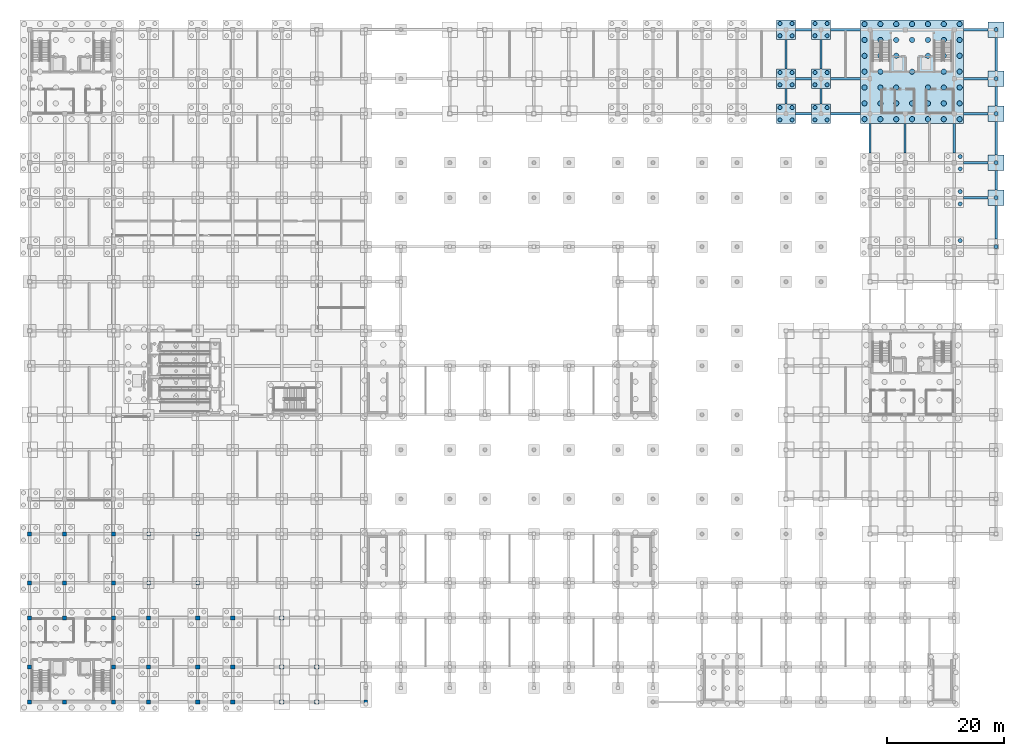
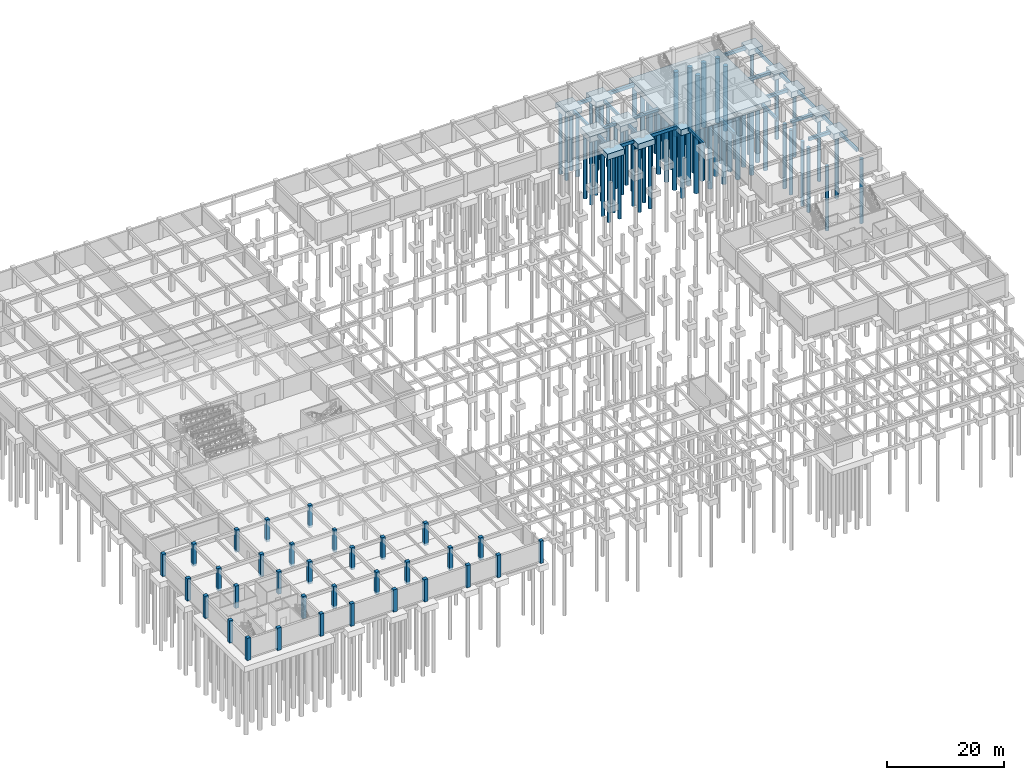
# One storey, part 13 of 40: 80 piles, 35 footings, 33 columns.
"""IFC4 building model written with IfcOpenShell, lengths in metres."""

from ifc_helpers import new_model, si_unit, direction, frame, origin, origin_2d, place, context, subcontext, project, spatial, rectangle, circle, extrude, material, material_profile, profile_set, type_object, element, save


model = new_model("IFC4")

# Units and contexts
model_context = context("Model", 3, precision=1e-05, world=origin(), true_north=direction((0.0, 1.0)))
body_context = subcontext(model_context, "Body", "Model", "MODEL_VIEW")
ifc_project = project(units=[si_unit("LENGTHUNIT", "METRE"), si_unit("AREAUNIT", "SQUARE_METRE"), si_unit("VOLUMEUNIT", "CUBIC_METRE"), si_unit("PLANEANGLEUNIT", "RADIAN"), si_unit("MASSUNIT", "GRAM", prefix="KILO"), si_unit("THERMODYNAMICTEMPERATUREUNIT", "KELVIN")], contexts=[model_context])

# Site, building, storey
site_placement = place(None, origin())
site = spatial("IfcSite", under=ifc_project, at=site_placement, CompositionType="ELEMENT")
building_placement = place(site_placement, origin())
building = spatial("IfcBuilding", under=site, at=building_placement, Name="Thalorik Housing Commons", CompositionType="ELEMENT")
storey_placement = place(building_placement, frame((0.0, 0.0, -4.199951171875)))
storey = spatial("IfcBuildingStorey", under=building, at=storey_placement, Name="B1", CompositionType="ELEMENT", Elevation=-4.199951171875)

# Footings
ifc_material_1 = material(Name="Concrete C40/50", Category="concrete")
footing_type_1 = type_object("IfcFootingType", Name="STR-CAP-17700x17700", PredefinedType="PILE_CAP", material=ifc_material_1)
footing_1_placement = place(storey_placement, frame((159.60009765625, 116.39990234375, -1.64990234375), z_axis=(0.0, 0.0, 1.0), x_axis=(1.0, 0.0, 0.0)))
element("IfcFooting", 1, at=footing_1_placement, inside=storey, type_object=footing_type_1, Name="B1 Pile Cap 245", PredefinedType="PILE_CAP", context=body_context, shape_type="SweptSolid", body=[
    extrude(rectangle(XDim=17.699951171875, YDim=17.699951171875, at=origin_2d()), origin(), (0.0, 0.0, 1.0), 1.199951171875),
])
footing_type_2 = type_object("IfcFootingType", Name="STR-CAP-2700x2700", PredefinedType="PILE_CAP", material=ifc_material_1)
for number, where, z_axis, x_axis, name in (
    (2, (174.0, 94.800048828125, -1.64990234375), (0.0, 0.0, 1.0), (1.0, 0.0, 0.0), "B1 Pile Cap 214"),
    (3, (174.0, 100.800048828125, -1.64990234375), (0.0, 0.0, 1.0), (1.0, 0.0, 0.0), "B1 Pile Cap 227"),
    (4, (174.0, 109.199951171875, -1.64990234375), (0.0, 0.0, 1.0), (1.0, 0.0, 0.0), "B1 Pile Cap 250"),
    (5, (174.0, 115.199951171875, -1.64990234375), (0.0, 0.0, 1.0), (1.0, 0.0, 0.0), "B1 Pile Cap 267"),
    (6, (174.0, 123.60009765625, -1.64990234375), (0.0, 0.0, 1.0), (1.0, 0.0, 0.0), "B1 Pile Cap 284"),
):
    element("IfcFooting", number, at=place(storey_placement, frame(where, z_axis=z_axis, x_axis=x_axis)), inside=storey, type_object=footing_type_2, Name=name, PredefinedType="PILE_CAP", context=body_context, shape_type="SweptSolid", body=[
        extrude(rectangle(XDim=2.699951171875, YDim=2.699951171875, at=origin_2d()), origin(), (0.0, 0.0, 1.0), 1.199951171875),
    ])
footing_type_3 = type_object("IfcFootingType", Name="STR-CAP-3300x3300", PredefinedType="PILE_CAP", material=ifc_material_1)
for number, where, z_axis, x_axis, name in (
    (7, (138.0, 109.199951171875, -1.64990234375), (0.0, 0.0, 1.0), (1.0, 0.0, 0.0), "B1 Pile Cap 243"),
    (8, (144.0, 109.199951171875, -1.64990234375), (0.0, 0.0, 1.0), (1.0, 0.0, 0.0), "B1 Pile Cap 244"),
    (9, (138.0, 115.199951171875, -1.64990234375), (0.0, 0.0, 1.0), (1.0, 0.0, 0.0), "B1 Pile Cap 261"),
    (10, (144.0, 115.199951171875, -1.64990234375), (0.0, 0.0, 1.0), (1.0, 0.0, 0.0), "B1 Pile Cap 262"),
    (11, (138.0, 123.60009765625, -1.64990234375), (0.0, 0.0, 1.0), (1.0, 0.0, 0.0), "B1 Pile Cap 278"),
    (12, (144.0, 123.60009765625, -1.64990234375), (0.0, 0.0, 1.0), (1.0, 0.0, 0.0), "B1 Pile Cap 279"),
):
    element("IfcFooting", number, at=place(storey_placement, frame(where, z_axis=z_axis, x_axis=x_axis)), inside=storey, type_object=footing_type_3, Name=name, PredefinedType="PILE_CAP", context=body_context, shape_type="SweptSolid", body=[
        extrude(rectangle(XDim=3.300048828125, YDim=3.300048828125, at=origin_2d()), origin(), (0.0, 0.0, 1.0), 1.199951171875),
    ])
ifc_material_profile_1 = material_profile(ifc_material_1, rectangle(XDim=0.39990234375, YDim=0.60009765625, at=origin_2d()), Name="RC 400x600", Category="concrete")
ifc_profile_set_1 = profile_set([ifc_material_profile_1], Name="Concrete C40/50")
footing_type_4 = type_object("IfcFootingType", Name="STR-GB-400", PredefinedType="FOOTING_BEAM", material=ifc_profile_set_1)
footing_2_placement = place(storey_placement, frame((138.0, 110.85009765625, -0.75), z_axis=(0.0, 1.0, 0.0), x_axis=(-1.0, 0.0, 0.0)))
element("IfcFooting", 13, at=footing_2_placement, inside=storey, type_object=footing_type_4, Name="B1 Ground Tie-Beam Y 455", PredefinedType="FOOTING_BEAM", context=body_context, shape_type="SweptSolid", body=[
    extrude(rectangle(XDim=0.39990234375, YDim=0.60009765625, at=origin_2d()), origin(), (0.0, 0.0, 1.0), 2.699951171875),
])
footing_3_placement = place(storey_placement, frame((138.0, 116.85009765625, -0.75), z_axis=(0.0, 1.0, 0.0), x_axis=(-1.0, 0.0, 0.0)))
element("IfcFooting", 14, at=footing_3_placement, inside=storey, type_object=footing_type_4, Name="B1 Ground Tie-Beam Y 456", PredefinedType="FOOTING_BEAM", context=body_context, shape_type="SweptSolid", body=[
    extrude(rectangle(XDim=0.39990234375, YDim=0.60009765625, at=origin_2d()), origin(), (0.0, 0.0, 1.0), 5.099853515625),
])
footing_4_placement = place(storey_placement, frame((144.0, 110.85009765625, -0.75), z_axis=(0.0, 1.0, 0.0), x_axis=(-1.0, 0.0, 0.0)))
element("IfcFooting", 15, at=footing_4_placement, inside=storey, type_object=footing_type_4, Name="B1 Ground Tie-Beam Y 465", PredefinedType="FOOTING_BEAM", context=body_context, shape_type="SweptSolid", body=[
    extrude(rectangle(XDim=0.39990234375, YDim=0.60009765625, at=origin_2d()), origin(), (0.0, 0.0, 1.0), 2.699951171875),
])
footing_5_placement = place(storey_placement, frame((144.0, 116.85009765625, -0.75), z_axis=(0.0, 1.0, 0.0), x_axis=(-1.0, 0.0, 0.0)))
element("IfcFooting", 16, at=footing_5_placement, inside=storey, type_object=footing_type_4, Name="B1 Ground Tie-Beam Y 466", PredefinedType="FOOTING_BEAM", context=body_context, shape_type="SweptSolid", body=[
    extrude(rectangle(XDim=0.39990234375, YDim=0.60009765625, at=origin_2d()), origin(), (0.0, 0.0, 1.0), 5.099853515625),
])
for number, where, z_axis, x_axis, name in (
    (17, (152.39990234375, 102.449951171875, -0.75), (0.0, 1.0, 0.0), (-1.0, 0.0, 0.0), "B1 Ground Tie-Beam Y 478"),
    (18, (158.39990234375, 102.449951171875, -0.75), (0.0, 1.0, 0.0), (-1.0, 0.0, 0.0), "B1 Ground Tie-Beam Y 490"),
    (19, (166.800048828125, 102.449951171875, -0.75), (0.0, 1.0, 0.0), (-1.0, 0.0, 0.0), "B1 Ground Tie-Beam Y 501"),
):
    element("IfcFooting", number, at=place(storey_placement, frame(where, z_axis=z_axis, x_axis=x_axis)), inside=storey, type_object=footing_type_4, Name=name, PredefinedType="FOOTING_BEAM", context=body_context, shape_type="SweptSolid", body=[
        extrude(rectangle(XDim=0.39990234375, YDim=0.60009765625, at=origin_2d()), origin(), (0.0, 0.0, 1.0), 5.10009765625),
    ])
footing_6_placement = place(storey_placement, frame((174.0, 87.75, -0.75), z_axis=(0.0, 1.0, 0.0), x_axis=(-1.0, 0.0, 0.0)))
element("IfcFooting", 20, at=footing_6_placement, inside=storey, type_object=footing_type_4, Name="B1 Ground Tie-Beam Y 509", PredefinedType="FOOTING_BEAM", context=body_context, shape_type="SweptSolid", body=[
    extrude(rectangle(XDim=0.39990234375, YDim=0.60009765625, at=origin_2d()), origin(), (0.0, 0.0, 1.0), 5.699951171875),
])
footing_7_placement = place(storey_placement, frame((174.0, 96.14990234375, -0.75), z_axis=(0.0, 1.0, 0.0), x_axis=(-1.0, 0.0, 0.0)))
element("IfcFooting", 21, at=footing_7_placement, inside=storey, type_object=footing_type_4, Name="B1 Ground Tie-Beam Y 510", PredefinedType="FOOTING_BEAM", context=body_context, shape_type="SweptSolid", body=[
    extrude(rectangle(XDim=0.39990234375, YDim=0.60009765625, at=origin_2d()), origin(), (0.0, 0.0, 1.0), 3.300048828125),
])
footing_8_placement = place(storey_placement, frame((174.0, 102.14990234375, -0.75), z_axis=(0.0, 1.0, 0.0), x_axis=(-1.0, 0.0, 0.0)))
element("IfcFooting", 22, at=footing_8_placement, inside=storey, type_object=footing_type_4, Name="B1 Ground Tie-Beam Y 511", PredefinedType="FOOTING_BEAM", context=body_context, shape_type="SweptSolid", body=[
    extrude(rectangle(XDim=0.39990234375, YDim=0.60009765625, at=origin_2d()), origin(), (0.0, 0.0, 1.0), 5.7001953125),
])
footing_9_placement = place(storey_placement, frame((174.0, 110.550048828125, -0.75), z_axis=(0.0, 1.0, 0.0), x_axis=(-1.0, 0.0, 0.0)))
element("IfcFooting", 23, at=footing_9_placement, inside=storey, type_object=footing_type_4, Name="B1 Ground Tie-Beam Y 512", PredefinedType="FOOTING_BEAM", context=body_context, shape_type="SweptSolid", body=[
    extrude(rectangle(XDim=0.39990234375, YDim=0.60009765625, at=origin_2d()), origin(), (0.0, 0.0, 1.0), 3.300048828125),
])
footing_10_placement = place(storey_placement, frame((174.0, 116.550048828125, -0.75), z_axis=(0.0, 1.0, 0.0), x_axis=(-1.0, 0.0, 0.0)))
element("IfcFooting", 24, at=footing_10_placement, inside=storey, type_object=footing_type_4, Name="B1 Ground Tie-Beam Y 513", PredefinedType="FOOTING_BEAM", context=body_context, shape_type="SweptSolid", body=[
    extrude(rectangle(XDim=0.39990234375, YDim=0.60009765625, at=origin_2d()), origin(), (0.0, 0.0, 1.0), 5.699951171875),
])
ifc_material_profile_2 = material_profile(ifc_material_1, rectangle(XDim=0.449951171875, YDim=0.64990234375, at=origin_2d()), Name="RC 450x650", Category="concrete")
ifc_profile_set_2 = profile_set([ifc_material_profile_2], Name="Concrete C40/50")
footing_type_5 = type_object("IfcFootingType", Name="STR-GB-500", PredefinedType="FOOTING_BEAM", material=ifc_profile_set_2)
for number, where, z_axis, x_axis, name in (
    (25, (168.449951171875, 94.800048828125, -0.775146484375), (1.0, 0.0, 0.0), (0.0, 1.0, 0.0), "B1 Ground Tie-Beam X 197"),
    (26, (168.449951171875, 100.800048828125, -0.775146484375), (1.0, 0.0, 0.0), (0.0, 1.0, 0.0), "B1 Ground Tie-Beam X 208"),
):
    element("IfcFooting", number, at=place(storey_placement, frame(where, z_axis=z_axis, x_axis=x_axis)), inside=storey, type_object=footing_type_5, Name=name, PredefinedType="FOOTING_BEAM", context=body_context, shape_type="SweptSolid", body=[
        extrude(rectangle(XDim=0.449951171875, YDim=0.64990234375, at=origin_2d()), origin(), (0.0, 0.0, 1.0), 4.199951171875),
    ])
footing_11_placement = place(storey_placement, frame((139.64990234375, 109.199951171875, -0.775146484375), z_axis=(1.0, 0.0, 0.0), x_axis=(0.0, 1.0, 0.0)))
element("IfcFooting", 27, at=footing_11_placement, inside=storey, type_object=footing_type_5, Name="B1 Ground Tie-Beam X 224", PredefinedType="FOOTING_BEAM", context=body_context, shape_type="SweptSolid", body=[
    extrude(rectangle(XDim=0.449951171875, YDim=0.64990234375, at=origin_2d()), origin(), (0.0, 0.0, 1.0), 2.7001953125),
])
footing_12_placement = place(storey_placement, frame((145.64990234375, 109.199951171875, -0.775146484375), z_axis=(1.0, 0.0, 0.0), x_axis=(0.0, 1.0, 0.0)))
element("IfcFooting", 28, at=footing_12_placement, inside=storey, type_object=footing_type_5, Name="B1 Ground Tie-Beam X 225", PredefinedType="FOOTING_BEAM", context=body_context, shape_type="SweptSolid", body=[
    extrude(rectangle(XDim=0.449951171875, YDim=0.64990234375, at=origin_2d()), origin(), (0.0, 0.0, 1.0), 5.10009765625),
])
footing_13_placement = place(storey_placement, frame((168.449951171875, 109.199951171875, -0.775146484375), z_axis=(1.0, 0.0, 0.0), x_axis=(0.0, 1.0, 0.0)))
element("IfcFooting", 29, at=footing_13_placement, inside=storey, type_object=footing_type_5, Name="B1 Ground Tie-Beam X 226", PredefinedType="FOOTING_BEAM", context=body_context, shape_type="SweptSolid", body=[
    extrude(rectangle(XDim=0.449951171875, YDim=0.64990234375, at=origin_2d()), origin(), (0.0, 0.0, 1.0), 4.199951171875),
])
footing_14_placement = place(storey_placement, frame((139.64990234375, 115.199951171875, -0.775146484375), z_axis=(1.0, 0.0, 0.0), x_axis=(0.0, 1.0, 0.0)))
element("IfcFooting", 30, at=footing_14_placement, inside=storey, type_object=footing_type_5, Name="B1 Ground Tie-Beam X 242", PredefinedType="FOOTING_BEAM", context=body_context, shape_type="SweptSolid", body=[
    extrude(rectangle(XDim=0.449951171875, YDim=0.64990234375, at=origin_2d()), origin(), (0.0, 0.0, 1.0), 2.7001953125),
])
footing_15_placement = place(storey_placement, frame((145.64990234375, 115.199951171875, -0.775146484375), z_axis=(1.0, 0.0, 0.0), x_axis=(0.0, 1.0, 0.0)))
element("IfcFooting", 31, at=footing_15_placement, inside=storey, type_object=footing_type_5, Name="B1 Ground Tie-Beam X 243", PredefinedType="FOOTING_BEAM", context=body_context, shape_type="SweptSolid", body=[
    extrude(rectangle(XDim=0.449951171875, YDim=0.64990234375, at=origin_2d()), origin(), (0.0, 0.0, 1.0), 5.10009765625),
])
footing_16_placement = place(storey_placement, frame((168.449951171875, 115.199951171875, -0.775146484375), z_axis=(1.0, 0.0, 0.0), x_axis=(0.0, 1.0, 0.0)))
element("IfcFooting", 32, at=footing_16_placement, inside=storey, type_object=footing_type_5, Name="B1 Ground Tie-Beam X 244", PredefinedType="FOOTING_BEAM", context=body_context, shape_type="SweptSolid", body=[
    extrude(rectangle(XDim=0.449951171875, YDim=0.64990234375, at=origin_2d()), origin(), (0.0, 0.0, 1.0), 4.199951171875),
])
footing_17_placement = place(storey_placement, frame((139.64990234375, 123.60009765625, -0.775146484375), z_axis=(1.0, 0.0, 0.0), x_axis=(0.0, 1.0, 0.0)))
element("IfcFooting", 33, at=footing_17_placement, inside=storey, type_object=footing_type_5, Name="B1 Ground Tie-Beam X 260", PredefinedType="FOOTING_BEAM", context=body_context, shape_type="SweptSolid", body=[
    extrude(rectangle(XDim=0.449951171875, YDim=0.64990234375, at=origin_2d()), origin(), (0.0, 0.0, 1.0), 2.7001953125),
])
footing_18_placement = place(storey_placement, frame((145.64990234375, 123.60009765625, -0.775146484375), z_axis=(1.0, 0.0, 0.0), x_axis=(0.0, 1.0, 0.0)))
element("IfcFooting", 34, at=footing_18_placement, inside=storey, type_object=footing_type_5, Name="B1 Ground Tie-Beam X 261", PredefinedType="FOOTING_BEAM", context=body_context, shape_type="SweptSolid", body=[
    extrude(rectangle(XDim=0.449951171875, YDim=0.64990234375, at=origin_2d()), origin(), (0.0, 0.0, 1.0), 5.10009765625),
])
footing_19_placement = place(storey_placement, frame((168.449951171875, 123.60009765625, -0.775146484375), z_axis=(1.0, 0.0, 0.0), x_axis=(0.0, 1.0, 0.0)))
element("IfcFooting", 35, at=footing_19_placement, inside=storey, type_object=footing_type_5, Name="B1 Ground Tie-Beam X 262", PredefinedType="FOOTING_BEAM", context=body_context, shape_type="SweptSolid", body=[
    extrude(rectangle(XDim=0.449951171875, YDim=0.64990234375, at=origin_2d()), origin(), (0.0, 0.0, 1.0), 4.199951171875),
])

# Piles
ifc_material_profile_3 = material_profile(ifc_material_1, circle(Radius=0.35009765625, at=origin_2d()), Name="BORED PILE D700", Category="concrete")
ifc_profile_set_3 = profile_set([ifc_material_profile_3], Name="Concrete C40/50")
pile_type_1 = type_object("IfcPileType", Name="STR-PILE-D700", PredefinedType="BORED", material=ifc_profile_set_3)
for number, where, z_axis, x_axis, name in (
    (36, (167.85009765625, 87.449951171875, -1.550048828125), (0.0, 0.0, -1.0), (1.0, 0.0, 0.0), "B1 Bored Pile 448"),
    (37, (174.0, 86.39990234375, -1.550048828125), (0.0, 0.0, -1.0), (1.0, 0.0, 0.0), "B1 Bored Pile 449"),
    (38, (167.85009765625, 93.75, -1.550048828125), (0.0, 0.0, -1.0), (1.0, 0.0, 0.0), "B1 Bored Pile 485"),
    (39, (167.85009765625, 95.85009765625, -1.550048828125), (0.0, 0.0, -1.0), (1.0, 0.0, 0.0), "B1 Bored Pile 486"),
    (40, (174.0, 94.800048828125, -1.550048828125), (0.0, 0.0, -1.0), (1.0, 0.0, 0.0), "B1 Bored Pile 487"),
    (41, (167.85009765625, 99.75, -1.550048828125), (0.0, 0.0, -1.0), (1.0, 0.0, 0.0), "B1 Bored Pile 516"),
    (42, (167.85009765625, 101.85009765625, -1.550048828125), (0.0, 0.0, -1.0), (1.0, 0.0, 0.0), "B1 Bored Pile 517"),
    (43, (174.0, 100.800048828125, -1.550048828125), (0.0, 0.0, -1.0), (1.0, 0.0, 0.0), "B1 Bored Pile 518"),
    (44, (136.949951171875, 108.14990234375, -1.550048828125), (0.0, 0.0, -1.0), (1.0, 0.0, 0.0), "B1 Bored Pile 602"),
    (45, (136.949951171875, 110.25, -1.550048828125), (0.0, 0.0, -1.0), (1.0, 0.0, 0.0), "B1 Bored Pile 603"),
    (46, (139.050048828125, 108.14990234375, -1.550048828125), (0.0, 0.0, -1.0), (1.0, 0.0, 0.0), "B1 Bored Pile 604"),
    (47, (139.050048828125, 110.25, -1.550048828125), (0.0, 0.0, -1.0), (1.0, 0.0, 0.0), "B1 Bored Pile 605"),
    (48, (142.949951171875, 108.14990234375, -1.550048828125), (0.0, 0.0, -1.0), (1.0, 0.0, 0.0), "B1 Bored Pile 606"),
    (49, (142.949951171875, 110.25, -1.550048828125), (0.0, 0.0, -1.0), (1.0, 0.0, 0.0), "B1 Bored Pile 607"),
    (50, (145.050048828125, 108.14990234375, -1.550048828125), (0.0, 0.0, -1.0), (1.0, 0.0, 0.0), "B1 Bored Pile 608"),
    (51, (145.050048828125, 110.25, -1.550048828125), (0.0, 0.0, -1.0), (1.0, 0.0, 0.0), "B1 Bored Pile 609"),
    (52, (174.0, 109.199951171875, -1.550048828125), (0.0, 0.0, -1.0), (1.0, 0.0, 0.0), "B1 Bored Pile 659"),
    (53, (136.949951171875, 114.14990234375, -1.550048828125), (0.0, 0.0, -1.0), (1.0, 0.0, 0.0), "B1 Bored Pile 694"),
    (54, (136.949951171875, 116.25, -1.550048828125), (0.0, 0.0, -1.0), (1.0, 0.0, 0.0), "B1 Bored Pile 695"),
    (55, (139.050048828125, 114.14990234375, -1.550048828125), (0.0, 0.0, -1.0), (1.0, 0.0, 0.0), "B1 Bored Pile 696"),
    (56, (139.050048828125, 116.25, -1.550048828125), (0.0, 0.0, -1.0), (1.0, 0.0, 0.0), "B1 Bored Pile 697"),
    (57, (142.949951171875, 114.14990234375, -1.550048828125), (0.0, 0.0, -1.0), (1.0, 0.0, 0.0), "B1 Bored Pile 698"),
    (58, (142.949951171875, 116.25, -1.550048828125), (0.0, 0.0, -1.0), (1.0, 0.0, 0.0), "B1 Bored Pile 699"),
    (59, (145.050048828125, 114.14990234375, -1.550048828125), (0.0, 0.0, -1.0), (1.0, 0.0, 0.0), "B1 Bored Pile 700"),
    (60, (145.050048828125, 116.25, -1.550048828125), (0.0, 0.0, -1.0), (1.0, 0.0, 0.0), "B1 Bored Pile 701"),
    (61, (174.0, 115.199951171875, -1.550048828125), (0.0, 0.0, -1.0), (1.0, 0.0, 0.0), "B1 Bored Pile 706"),
    (62, (136.949951171875, 122.550048828125, -1.550048828125), (0.0, 0.0, -1.0), (1.0, 0.0, 0.0), "B1 Bored Pile 741"),
    (63, (136.949951171875, 124.64990234375, -1.550048828125), (0.0, 0.0, -1.0), (1.0, 0.0, 0.0), "B1 Bored Pile 742"),
    (64, (139.050048828125, 122.550048828125, -1.550048828125), (0.0, 0.0, -1.0), (1.0, 0.0, 0.0), "B1 Bored Pile 743"),
    (65, (139.050048828125, 124.64990234375, -1.550048828125), (0.0, 0.0, -1.0), (1.0, 0.0, 0.0), "B1 Bored Pile 744"),
    (66, (142.949951171875, 122.550048828125, -1.550048828125), (0.0, 0.0, -1.0), (1.0, 0.0, 0.0), "B1 Bored Pile 745"),
    (67, (142.949951171875, 124.64990234375, -1.550048828125), (0.0, 0.0, -1.0), (1.0, 0.0, 0.0), "B1 Bored Pile 746"),
    (68, (145.050048828125, 122.550048828125, -1.550048828125), (0.0, 0.0, -1.0), (1.0, 0.0, 0.0), "B1 Bored Pile 747"),
    (69, (145.050048828125, 124.64990234375, -1.550048828125), (0.0, 0.0, -1.0), (1.0, 0.0, 0.0), "B1 Bored Pile 748"),
    (70, (174.0, 123.60009765625, -1.550048828125), (0.0, 0.0, -1.0), (1.0, 0.0, 0.0), "B1 Bored Pile 753"),
):
    element("IfcPile", number, at=place(storey_placement, frame(where, z_axis=z_axis, x_axis=x_axis)), inside=storey, type_object=pile_type_1, Name=name, PredefinedType="BORED", context=body_context, shape_type="SweptSolid", body=[
        extrude(circle(Radius=0.35009765625, at=origin_2d()), origin(), (0.0, 0.0, 1.0), 13.449951171875),
    ])
ifc_material_profile_4 = material_profile(ifc_material_1, circle(Radius=0.449951171875, at=origin_2d()), Name="BORED PILE D900", Category="concrete")
ifc_profile_set_4 = profile_set([ifc_material_profile_4], Name="Concrete C40/50")
pile_type_2 = type_object("IfcPileType", Name="STR-PILE-D900", PredefinedType="BORED", material=ifc_profile_set_4)
for number, where, z_axis, x_axis, name in (
    (71, (151.449951171875, 108.25, -1.550048828125), (0.0, 0.0, -1.0), (1.0, 0.0, 0.0), "B1 Bored Pile 610"),
    (72, (151.449951171875, 110.966796875, -1.550048828125), (0.0, 0.0, -1.0), (1.0, 0.0, 0.0), "B1 Bored Pile 611"),
    (73, (151.449951171875, 113.683349609375, -1.550048828125), (0.0, 0.0, -1.0), (1.0, 0.0, 0.0), "B1 Bored Pile 612"),
    (74, (151.449951171875, 116.39990234375, -1.550048828125), (0.0, 0.0, -1.0), (1.0, 0.0, 0.0), "B1 Bored Pile 613"),
    (75, (151.449951171875, 119.11669921875, -1.550048828125), (0.0, 0.0, -1.0), (1.0, 0.0, 0.0), "B1 Bored Pile 614"),
    (76, (151.449951171875, 121.833251953125, -1.550048828125), (0.0, 0.0, -1.0), (1.0, 0.0, 0.0), "B1 Bored Pile 615"),
    (77, (151.449951171875, 124.550048828125, -1.550048828125), (0.0, 0.0, -1.0), (1.0, 0.0, 0.0), "B1 Bored Pile 616"),
    (78, (154.166748046875, 108.25, -1.550048828125), (0.0, 0.0, -1.0), (1.0, 0.0, 0.0), "B1 Bored Pile 617"),
    (79, (154.166748046875, 110.966796875, -1.550048828125), (0.0, 0.0, -1.0), (1.0, 0.0, 0.0), "B1 Bored Pile 618"),
    (80, (154.166748046875, 113.683349609375, -1.550048828125), (0.0, 0.0, -1.0), (1.0, 0.0, 0.0), "B1 Bored Pile 619"),
    (81, (154.166748046875, 116.39990234375, -1.550048828125), (0.0, 0.0, -1.0), (1.0, 0.0, 0.0), "B1 Bored Pile 620"),
    (82, (154.166748046875, 119.11669921875, -1.550048828125), (0.0, 0.0, -1.0), (1.0, 0.0, 0.0), "B1 Bored Pile 621"),
    (83, (154.166748046875, 121.833251953125, -1.550048828125), (0.0, 0.0, -1.0), (1.0, 0.0, 0.0), "B1 Bored Pile 622"),
    (84, (154.166748046875, 124.550048828125, -1.550048828125), (0.0, 0.0, -1.0), (1.0, 0.0, 0.0), "B1 Bored Pile 623"),
    (85, (156.88330078125, 108.25, -1.550048828125), (0.0, 0.0, -1.0), (1.0, 0.0, 0.0), "B1 Bored Pile 624"),
    (86, (156.88330078125, 110.966796875, -1.550048828125), (0.0, 0.0, -1.0), (1.0, 0.0, 0.0), "B1 Bored Pile 625"),
    (87, (156.88330078125, 113.683349609375, -1.550048828125), (0.0, 0.0, -1.0), (1.0, 0.0, 0.0), "B1 Bored Pile 626"),
    (88, (156.88330078125, 119.11669921875, -1.550048828125), (0.0, 0.0, -1.0), (1.0, 0.0, 0.0), "B1 Bored Pile 627"),
    (89, (156.88330078125, 121.833251953125, -1.550048828125), (0.0, 0.0, -1.0), (1.0, 0.0, 0.0), "B1 Bored Pile 628"),
    (90, (156.88330078125, 124.550048828125, -1.550048828125), (0.0, 0.0, -1.0), (1.0, 0.0, 0.0), "B1 Bored Pile 629"),
    (91, (159.60009765625, 108.25, -1.550048828125), (0.0, 0.0, -1.0), (1.0, 0.0, 0.0), "B1 Bored Pile 630"),
    (92, (159.60009765625, 110.966796875, -1.550048828125), (0.0, 0.0, -1.0), (1.0, 0.0, 0.0), "B1 Bored Pile 631"),
    (93, (159.60009765625, 116.39990234375, -1.550048828125), (0.0, 0.0, -1.0), (1.0, 0.0, 0.0), "B1 Bored Pile 632"),
    (94, (159.60009765625, 121.833251953125, -1.550048828125), (0.0, 0.0, -1.0), (1.0, 0.0, 0.0), "B1 Bored Pile 633"),
    (95, (159.60009765625, 124.550048828125, -1.550048828125), (0.0, 0.0, -1.0), (1.0, 0.0, 0.0), "B1 Bored Pile 634"),
    (96, (162.316650390625, 108.25, -1.550048828125), (0.0, 0.0, -1.0), (1.0, 0.0, 0.0), "B1 Bored Pile 635"),
    (97, (162.316650390625, 110.966796875, -1.550048828125), (0.0, 0.0, -1.0), (1.0, 0.0, 0.0), "B1 Bored Pile 636"),
    (98, (162.316650390625, 113.683349609375, -1.550048828125), (0.0, 0.0, -1.0), (1.0, 0.0, 0.0), "B1 Bored Pile 637"),
    (99, (162.316650390625, 119.11669921875, -1.550048828125), (0.0, 0.0, -1.0), (1.0, 0.0, 0.0), "B1 Bored Pile 638"),
    (100, (162.316650390625, 121.833251953125, -1.550048828125), (0.0, 0.0, -1.0), (1.0, 0.0, 0.0), "B1 Bored Pile 639"),
    (101, (162.316650390625, 124.550048828125, -1.550048828125), (0.0, 0.0, -1.0), (1.0, 0.0, 0.0), "B1 Bored Pile 640"),
    (102, (165.033203125, 108.25, -1.550048828125), (0.0, 0.0, -1.0), (1.0, 0.0, 0.0), "B1 Bored Pile 641"),
    (103, (165.033203125, 110.966796875, -1.550048828125), (0.0, 0.0, -1.0), (1.0, 0.0, 0.0), "B1 Bored Pile 642"),
    (104, (165.033203125, 113.683349609375, -1.550048828125), (0.0, 0.0, -1.0), (1.0, 0.0, 0.0), "B1 Bored Pile 643"),
    (105, (165.033203125, 116.39990234375, -1.550048828125), (0.0, 0.0, -1.0), (1.0, 0.0, 0.0), "B1 Bored Pile 644"),
    (106, (165.033203125, 119.11669921875, -1.550048828125), (0.0, 0.0, -1.0), (1.0, 0.0, 0.0), "B1 Bored Pile 645"),
    (107, (165.033203125, 121.833251953125, -1.550048828125), (0.0, 0.0, -1.0), (1.0, 0.0, 0.0), "B1 Bored Pile 646"),
    (108, (165.033203125, 124.550048828125, -1.550048828125), (0.0, 0.0, -1.0), (1.0, 0.0, 0.0), "B1 Bored Pile 647"),
    (109, (167.75, 108.25, -1.550048828125), (0.0, 0.0, -1.0), (1.0, 0.0, 0.0), "B1 Bored Pile 648"),
    (110, (167.75, 110.966796875, -1.550048828125), (0.0, 0.0, -1.0), (1.0, 0.0, 0.0), "B1 Bored Pile 649"),
    (111, (167.75, 113.683349609375, -1.550048828125), (0.0, 0.0, -1.0), (1.0, 0.0, 0.0), "B1 Bored Pile 650"),
    (112, (167.75, 116.39990234375, -1.550048828125), (0.0, 0.0, -1.0), (1.0, 0.0, 0.0), "B1 Bored Pile 651"),
    (113, (167.75, 119.11669921875, -1.550048828125), (0.0, 0.0, -1.0), (1.0, 0.0, 0.0), "B1 Bored Pile 652"),
    (114, (167.75, 121.833251953125, -1.550048828125), (0.0, 0.0, -1.0), (1.0, 0.0, 0.0), "B1 Bored Pile 653"),
    (115, (167.75, 124.550048828125, -1.550048828125), (0.0, 0.0, -1.0), (1.0, 0.0, 0.0), "B1 Bored Pile 654"),
):
    element("IfcPile", number, at=place(storey_placement, frame(where, z_axis=z_axis, x_axis=x_axis)), inside=storey, type_object=pile_type_2, Name=name, PredefinedType="BORED", context=body_context, shape_type="SweptSolid", body=[
        extrude(circle(Radius=0.449951171875, at=origin_2d()), origin(), (0.0, 0.0, 1.0), 13.449951171875),
    ])

# Columns
ifc_material_2 = material(Name="Precast concrete C40/50", Category="concrete")
ifc_material_profile_5 = material_profile(ifc_material_2, rectangle(XDim=0.64990234375, YDim=0.64990234375, at=origin_2d()), Name="PC 650x650", Category="concrete")
ifc_profile_set_5 = profile_set([ifc_material_profile_5], Name="Precast concrete C40/50")
column_type_1 = type_object("IfcColumnType", Name="STR-COL-PC650", PredefinedType="COLUMN", material=ifc_profile_set_5)
for number, where, z_axis, x_axis, name in (
    (116, (28.800048828125, 28.800048828125, -0.449951171875), (0.0, 0.0, 1.0), (1.0, 0.0, 0.0), "B1 Column C-650"),
    (117, (28.800048828125, 37.199951171875, -0.449951171875), (0.0, 0.0, 1.0), (1.0, 0.0, 0.0), "B1 Column C-650"),
    (118, (37.199951171875, 28.800048828125, -0.449951171875), (0.0, 0.0, 1.0), (1.0, 0.0, 0.0), "B1 Column C-650"),
    (119, (37.199951171875, 37.199951171875, -0.449951171875), (0.0, 0.0, 1.0), (1.0, 0.0, 0.0), "B1 Column C-650"),
    (120, (66.0, 8.39990234375, -0.449951171875), (0.0, 0.0, 1.0), (1.0, 0.0, 0.0), "B1 Column C-650"),
):
    element("IfcColumn", number, at=place(storey_placement, frame(where, z_axis=z_axis, x_axis=x_axis)), inside=storey, type_object=column_type_1, Name=name, PredefinedType="COLUMN", context=body_context, shape_type="SweptSolid", body=[
        extrude(rectangle(XDim=0.64990234375, YDim=0.64990234375, at=origin_2d()), origin(), (0.0, 0.0, 1.0), 4.64990234375),
    ])
ifc_material_profile_6 = material_profile(ifc_material_2, rectangle(XDim=0.699951171875, YDim=0.699951171875, at=origin_2d()), Name="PC 700x700", Category="concrete")
ifc_profile_set_6 = profile_set([ifc_material_profile_6], Name="Precast concrete C40/50")
column_type_2 = type_object("IfcColumnType", Name="STR-COL-PC700", PredefinedType="COLUMN", material=ifc_profile_set_6)
for number, where, z_axis, x_axis, name in (
    (121, (8.39990234375, 8.39990234375, -0.449951171875), (0.0, 0.0, 1.0), (1.0, 0.0, 0.0), "B1 Column C-700"),
    (122, (8.39990234375, 14.39990234375, -0.449951171875), (0.0, 0.0, 1.0), (1.0, 0.0, 0.0), "B1 Column C-700"),
    (123, (8.39990234375, 22.800048828125, -0.449951171875), (0.0, 0.0, 1.0), (1.0, 0.0, 0.0), "B1 Column C-700"),
    (124, (8.39990234375, 28.800048828125, -0.449951171875), (0.0, 0.0, 1.0), (1.0, 0.0, 0.0), "B1 Column C-700"),
    (125, (8.39990234375, 37.199951171875, -0.449951171875), (0.0, 0.0, 1.0), (1.0, 0.0, 0.0), "B1 Column C-700"),
    (126, (14.39990234375, 8.39990234375, -0.449951171875), (0.0, 0.0, 1.0), (1.0, 0.0, 0.0), "B1 Column C-700"),
    (127, (14.39990234375, 22.800048828125, -0.449951171875), (0.0, 0.0, 1.0), (1.0, 0.0, 0.0), "B1 Column C-700"),
    (128, (14.39990234375, 28.800048828125, -0.449951171875), (0.0, 0.0, 1.0), (1.0, 0.0, 0.0), "B1 Column C-700"),
    (129, (14.39990234375, 37.199951171875, -0.449951171875), (0.0, 0.0, 1.0), (1.0, 0.0, 0.0), "B1 Column C-700"),
    (130, (22.800048828125, 8.39990234375, -0.449951171875), (0.0, 0.0, 1.0), (1.0, 0.0, 0.0), "B1 Column C-700"),
    (131, (22.800048828125, 14.39990234375, -0.449951171875), (0.0, 0.0, 1.0), (1.0, 0.0, 0.0), "B1 Column C-700"),
    (132, (22.800048828125, 22.800048828125, -0.449951171875), (0.0, 0.0, 1.0), (1.0, 0.0, 0.0), "B1 Column C-700"),
    (133, (22.800048828125, 28.800048828125, -0.449951171875), (0.0, 0.0, 1.0), (1.0, 0.0, 0.0), "B1 Column C-700"),
    (134, (22.800048828125, 37.199951171875, -0.449951171875), (0.0, 0.0, 1.0), (1.0, 0.0, 0.0), "B1 Column C-700"),
    (135, (28.800048828125, 8.39990234375, -0.449951171875), (0.0, 0.0, 1.0), (1.0, 0.0, 0.0), "B1 Column C-700"),
    (136, (28.800048828125, 14.39990234375, -0.449951171875), (0.0, 0.0, 1.0), (1.0, 0.0, 0.0), "B1 Column C-700"),
    (137, (28.800048828125, 22.800048828125, -0.449951171875), (0.0, 0.0, 1.0), (1.0, 0.0, 0.0), "B1 Column C-700"),
    (138, (37.199951171875, 8.39990234375, -0.449951171875), (0.0, 0.0, 1.0), (1.0, 0.0, 0.0), "B1 Column C-700"),
    (139, (37.199951171875, 14.39990234375, -0.449951171875), (0.0, 0.0, 1.0), (1.0, 0.0, 0.0), "B1 Column C-700"),
    (140, (37.199951171875, 22.800048828125, -0.449951171875), (0.0, 0.0, 1.0), (1.0, 0.0, 0.0), "B1 Column C-700"),
    (141, (43.199951171875, 8.39990234375, -0.449951171875), (0.0, 0.0, 1.0), (1.0, 0.0, 0.0), "B1 Column C-700"),
    (142, (43.199951171875, 14.39990234375, -0.449951171875), (0.0, 0.0, 1.0), (1.0, 0.0, 0.0), "B1 Column C-700"),
    (143, (43.199951171875, 22.800048828125, -0.449951171875), (0.0, 0.0, 1.0), (1.0, 0.0, 0.0), "B1 Column C-700"),
    (144, (51.60009765625, 8.39990234375, -0.449951171875), (0.0, 0.0, 1.0), (1.0, 0.0, 0.0), "B1 Column C-700"),
    (145, (51.60009765625, 14.39990234375, -0.449951171875), (0.0, 0.0, 1.0), (1.0, 0.0, 0.0), "B1 Column C-700"),
    (146, (51.60009765625, 22.800048828125, -0.449951171875), (0.0, 0.0, 1.0), (1.0, 0.0, 0.0), "B1 Column C-700"),
    (147, (57.60009765625, 8.39990234375, -0.449951171875), (0.0, 0.0, 1.0), (1.0, 0.0, 0.0), "B1 Column C-700"),
    (148, (57.60009765625, 14.39990234375, -0.449951171875), (0.0, 0.0, 1.0), (1.0, 0.0, 0.0), "B1 Column C-700"),
):
    element("IfcColumn", number, at=place(storey_placement, frame(where, z_axis=z_axis, x_axis=x_axis)), inside=storey, type_object=column_type_2, Name=name, PredefinedType="COLUMN", context=body_context, shape_type="SweptSolid", body=[
        extrude(rectangle(XDim=0.699951171875, YDim=0.699951171875, at=origin_2d()), origin(), (0.0, 0.0, 1.0), 4.64990234375),
    ])

save(model, "model.ifc")
